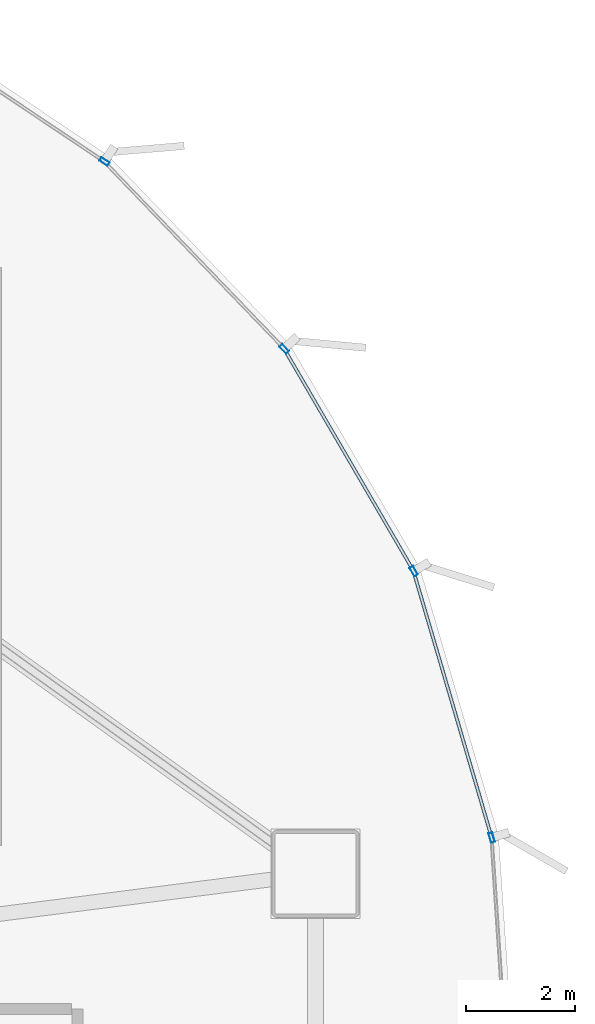
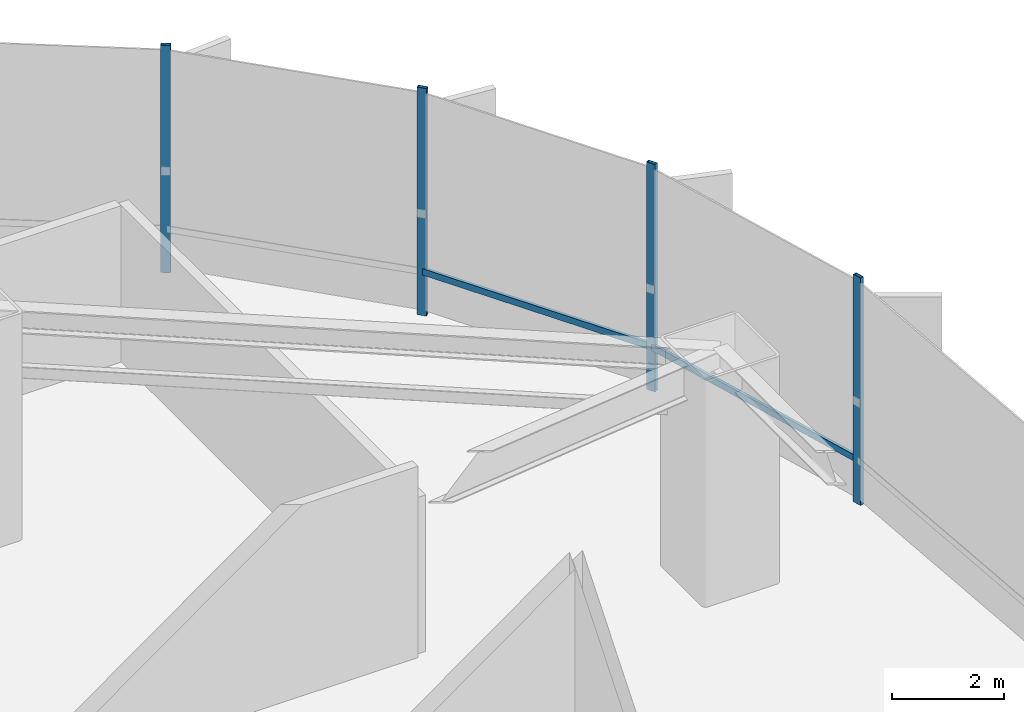
# One storey, part 20 of 35: 6 members, 1 element without a shape of its own.
"""IFC4 building model written with IfcOpenShell, lengths in metres."""

from ifc_helpers import new_model, si_unit, direction, frame, origin, origin_2d, place, context, subcontext, project, spatial, hollow_rectangle, extrude, source, transform, mapped, material, layer, layer_set, material_profile, profile_set, type_object, element, aggregate, save


model = new_model("IFC4")

# Units and contexts
model_context = context("Model", 3, precision=1e-05, world=origin(), true_north=direction((0.0, 1.0)))
body_context = subcontext(model_context, "Body", "Model", "MODEL_VIEW")
ifc_project = project(units=[si_unit("LENGTHUNIT", "METRE"), si_unit("AREAUNIT", "SQUARE_METRE"), si_unit("VOLUMEUNIT", "CUBIC_METRE"), si_unit("PLANEANGLEUNIT", "RADIAN"), si_unit("MASSUNIT", "GRAM", prefix="KILO"), si_unit("THERMODYNAMICTEMPERATUREUNIT", "KELVIN")], contexts=[model_context])

# Site, building, storey
site_placement = place(None, origin())
site = spatial("IfcSite", under=ifc_project, at=site_placement, CompositionType="ELEMENT")
building_placement = place(site_placement, origin())
building = spatial("IfcBuilding", under=site, at=building_placement, Name="Kethvar Cultural Tower", CompositionType="ELEMENT")
storey_placement = place(building_placement, origin())
storey = spatial("IfcBuildingStorey", under=building, at=storey_placement, Name="L00", CompositionType="ELEMENT", Elevation=0.0)

# Curtain wall, members
ifc_material = material(Name="Aluminium 6063-T6", Category="aluminium")
ifc_layer = layer(ifc_material, 0.179931640625, Name="Aluminium 6063-T6", Category="aluminium")
ifc_layer_set = layer_set([ifc_layer], Name="Aluminium 6063-T6 (180 mm)")
curtain_wall_type = type_object("IfcCurtainWallType", Name="CW-SYS-01-POD", PredefinedType="NOTDEFINED", material=ifc_layer_set)
curtain_wall_placement = place(storey_placement, origin())
curtain_wall = element("IfcCurtainWall", 1, at=curtain_wall_placement, inside=storey, type_object=curtain_wall_type, Name="L00 Curtain Wall Run 01", PredefinedType="NOTDEFINED")
ifc_material_profile_1 = material_profile(ifc_material, hollow_rectangle(XDim=0.074951171875, YDim=0.179931640625, WallThickness=0.006103515625, at=origin_2d()), Name="Aluminium 6063-T6 — RHS180x75x6")
ifc_profile_set_1 = profile_set([ifc_material_profile_1], Name="Aluminium 6063-T6 — RHS180x75x6")
member_type_1 = type_object("IfcMemberType", Name="CW-SYS-01-POD-MUL", PredefinedType="MULLION", material=ifc_profile_set_1)
shared_shape_1 = source(origin(), body_context, "Body", "SweptSolid", [
    extrude(hollow_rectangle(XDim=0.074951171875, YDim=0.179931640625, WallThickness=0.006103515625, at=origin_2d()), origin(), (0.0, 0.0, 1.0), 4.949951171875),
])
member_1_placement = place(storey_placement, frame((82.593017578125, 34.94189453125, 0.0), z_axis=(0.0, 0.0, 1.0), x_axis=(-0.959496102658, -0.28172190008, 0.0)))
member_1 = element("IfcMember", 2, at=member_1_placement, type_object=member_type_1, Name="CW-L00-R01 Mullion 2", PredefinedType="MULLION", context=body_context, shape_type="MappedRepresentation", body=[
    mapped(shared_shape_1, transform((0.0, 0.0, 0.0), scale=1.0)),
])
member_2_placement = place(storey_placement, frame((81.162841796875, 39.826171875, 0.0), z_axis=(0.0, 0.0, 1.0), x_axis=(-0.863984939927, -0.503517649721, 0.0)))
member_2 = element("IfcMember", 3, at=member_2_placement, type_object=member_type_1, Name="CW-L00-R01 Mullion 3", PredefinedType="MULLION", context=body_context, shape_type="MappedRepresentation", body=[
    mapped(shared_shape_1, transform((0.0, 0.0, 0.0), scale=1.0)),
])
member_3_placement = place(storey_placement, frame((78.790771484375, 43.90380859375, 0.0), z_axis=(0.0, 0.0, 1.0), x_axis=(-0.720611619661, -0.693338945689, 0.0)))
member_3 = element("IfcMember", 4, at=member_3_placement, type_object=member_type_1, Name="CW-L00-R01 Mullion 4", PredefinedType="MULLION", context=body_context, shape_type="MappedRepresentation", body=[
    mapped(shared_shape_1, transform((0.0, 0.0, 0.0), scale=1.0)),
])
member_4_placement = place(storey_placement, frame((75.49072265625, 47.337890625, 0.0), z_axis=(0.0, 0.0, 1.0), x_axis=(-0.556556649514, -0.830809662848, 0.0)))
member_4 = element("IfcMember", 5, at=member_4_placement, type_object=member_type_1, Name="CW-L00-R01 Mullion 5", PredefinedType="MULLION", context=body_context, shape_type="MappedRepresentation", body=[
    mapped(shared_shape_1, transform((0.0, 0.0, 0.0), scale=1.0)),
])
ifc_material_profile_2 = material_profile(ifc_material, hollow_rectangle(XDim=0.06005859375, YDim=0.139892578125, WallThickness=0.0048828125, at=origin_2d()), Name="Aluminium 6063-T6 — RHS140x60x5")
ifc_profile_set_2 = profile_set([ifc_material_profile_2], Name="Aluminium 6063-T6 — RHS140x60x5")
member_type_2 = type_object("IfcMemberType", Name="CW-SYS-01-POD-TRN", PredefinedType="USERDEFINED", material=ifc_profile_set_2)
shared_shape_2 = source(origin(), body_context, "Body", "SweptSolid", [
    extrude(hollow_rectangle(XDim=0.06005859375, YDim=0.139892578125, WallThickness=0.0048828125, at=origin_2d()), origin(), (0.0, 0.0, 1.0), 5.012451171875),
])
member_5_placement = place(storey_placement, frame((82.577880859375, 34.993896484375, 0.949951171875), z_axis=(-0.281770748473, 0.959481758714, 0.0), x_axis=(-0.959481758714, -0.281770748473, 0.0)))
member_5 = element("IfcMember", 6, at=member_5_placement, type_object=member_type_2, Name="CW-L00-R01 Transom 2", ObjectType="TRANSOM", PredefinedType="USERDEFINED", context=body_context, shape_type="MappedRepresentation", body=[
    mapped(shared_shape_2, transform((0.0, 0.0, 0.0), scale=1.0)),
])
shared_shape_3 = source(origin(), body_context, "Body", "SweptSolid", [
    extrude(hollow_rectangle(XDim=0.06005859375, YDim=0.139892578125, WallThickness=0.0048828125, at=origin_2d()), origin(), (0.0, 0.0, 1.0), 4.639892578125),
])
member_6_placement = place(storey_placement, frame((81.135498046875, 39.872802734375, 0.949951171875), z_axis=(-0.503504560489, 0.863992568004, 0.0), x_axis=(-0.863992568004, -0.503504560489, 0.0)))
member_6 = element("IfcMember", 7, at=member_6_placement, type_object=member_type_2, Name="CW-L00-R01 Transom 3", ObjectType="TRANSOM", PredefinedType="USERDEFINED", context=body_context, shape_type="MappedRepresentation", body=[
    mapped(shared_shape_3, transform((0.0, 0.0, 0.0), scale=1.0)),
])
aggregate(curtain_wall, [member_1, member_2, member_3, member_4, member_5, member_6])

save(model, "model.ifc")
